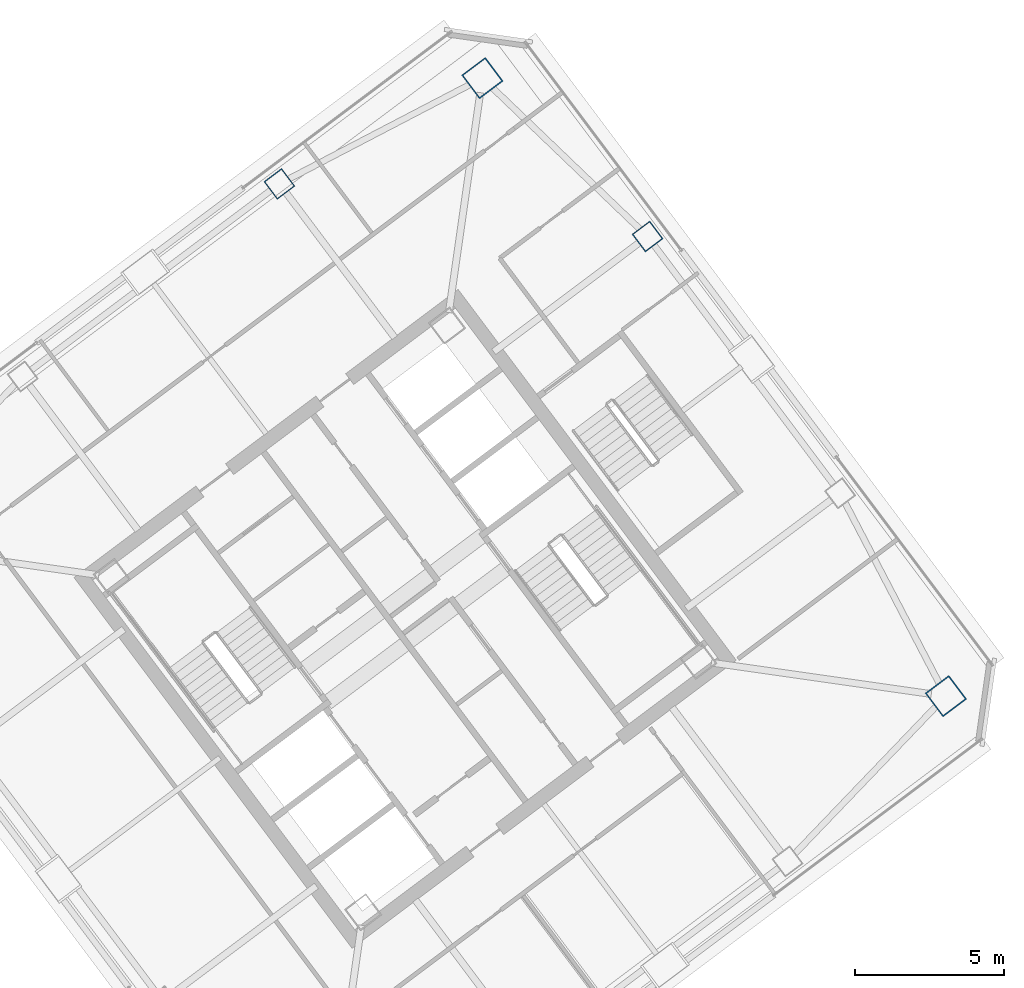
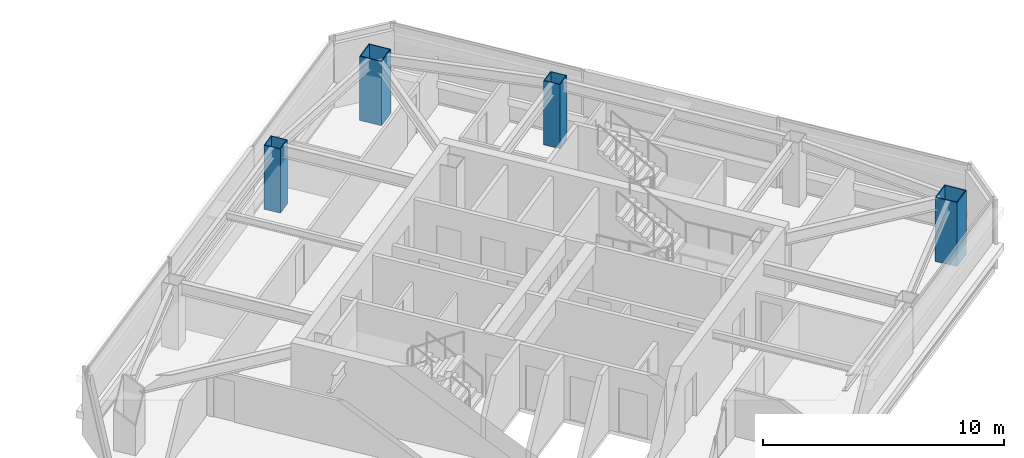
# One storey, part 2 of 39: 4 columns.
"""IFC4 building model written with IfcOpenShell, lengths in metres."""

from ifc_helpers import new_model, si_unit, direction, frame, origin, origin_2d, place, context, subcontext, project, spatial, hollow_rectangle, extrude, material, material_profile, profile_set, type_object, element, save


model = new_model("IFC4")

# Units and contexts
model_context = context("Model", 3, precision=1e-05, world=origin(), true_north=direction((0.0, 1.0)))
body_context = subcontext(model_context, "Body", "Model", "MODEL_VIEW")
ifc_project = project(units=[si_unit("LENGTHUNIT", "METRE"), si_unit("AREAUNIT", "SQUARE_METRE"), si_unit("VOLUMEUNIT", "CUBIC_METRE"), si_unit("PLANEANGLEUNIT", "RADIAN"), si_unit("MASSUNIT", "GRAM", prefix="KILO")], contexts=[model_context])

# Site, building, storey
site_placement = place(None, origin())
site = spatial("IfcSite", under=ifc_project, at=site_placement, CompositionType="ELEMENT")
building_placement = place(site_placement, origin())
building = spatial("IfcBuilding", under=site, at=building_placement, Name="Tashvorn Skyway Center", CompositionType="ELEMENT")
storey_placement = place(building_placement, frame((0.0, 0.0, 243.25)))
storey = spatial("IfcBuildingStorey", under=building, at=storey_placement, Name="L66", CompositionType="ELEMENT", Elevation=243.25)

# Columns
ifc_material = material(Name="Steel ASTM A572 Grade 50", Category="steel")
ifc_material_profile_1 = material_profile(ifc_material, hollow_rectangle(XDim=1.0, YDim=1.0, WallThickness=0.0400390625, at=origin_2d()), Name="BOX1000x1000x40")
ifc_profile_set_1 = profile_set([ifc_material_profile_1], Name="Steel ASTM A572 Grade 50")
column_type_1 = type_object("IfcColumnType", Name="COL-BOX1000x1000x40", PredefinedType="COLUMN", material=ifc_profile_set_1)
for number, where, z_axis, x_axis, name in (
    (1, (132.199951171875, 29.39990234375, 0.0), (0.0, 0.0, 1.0), (0.799999996291, 0.600000004945, 0.0), "Tower 2 L66 Mega-Column MC-SE"),
    (2, (116.60009765625, 50.199951171875, 0.0), (0.0, 0.0, 1.0), (0.799999996291, 0.600000004945, 0.0), "Tower 2 L66 Mega-Column MC-NE"),
):
    element("IfcColumn", number, at=place(storey_placement, frame(where, z_axis=z_axis, x_axis=x_axis)), inside=storey, type_object=column_type_1, Name=name, PredefinedType="COLUMN", context=body_context, shape_type="SweptSolid", body=[
        extrude(hollow_rectangle(XDim=1.0, YDim=1.0, WallThickness=0.0400390625, at=origin_2d()), origin(), (0.0, 0.0, 1.0), 3.25),
    ])
ifc_material_profile_2 = material_profile(ifc_material, hollow_rectangle(XDim=0.75, YDim=0.75, WallThickness=0.031982421875, at=origin_2d()), Name="BOX750x750x32")
ifc_profile_set_2 = profile_set([ifc_material_profile_2], Name="Steel ASTM A572 Grade 50")
column_type_2 = type_object("IfcColumnType", Name="COL-BOX750x750x32", PredefinedType="COLUMN", material=ifc_profile_set_2)
for number, where, z_axis, x_axis, name in (
    (3, (122.159912109375, 44.8701171875, 0.0), (0.0, 0.0, 1.0), (0.799999996291, 0.600000004945, 0.0), "Tower 2 L66 Perimeter Column FC-E2"),
    (4, (109.77001953125, 46.639892578125, 0.0), (0.0, 0.0, 1.0), (0.799999996291, 0.600000004945, 0.0), "Tower 2 L66 Perimeter Column FC-N1"),
):
    element("IfcColumn", number, at=place(storey_placement, frame(where, z_axis=z_axis, x_axis=x_axis)), inside=storey, type_object=column_type_2, Name=name, PredefinedType="COLUMN", context=body_context, shape_type="SweptSolid", body=[
        extrude(hollow_rectangle(XDim=0.75, YDim=0.75, WallThickness=0.031982421875, at=origin_2d()), origin(), (0.0, 0.0, 1.0), 3.25),
    ])

save(model, "model.ifc")
